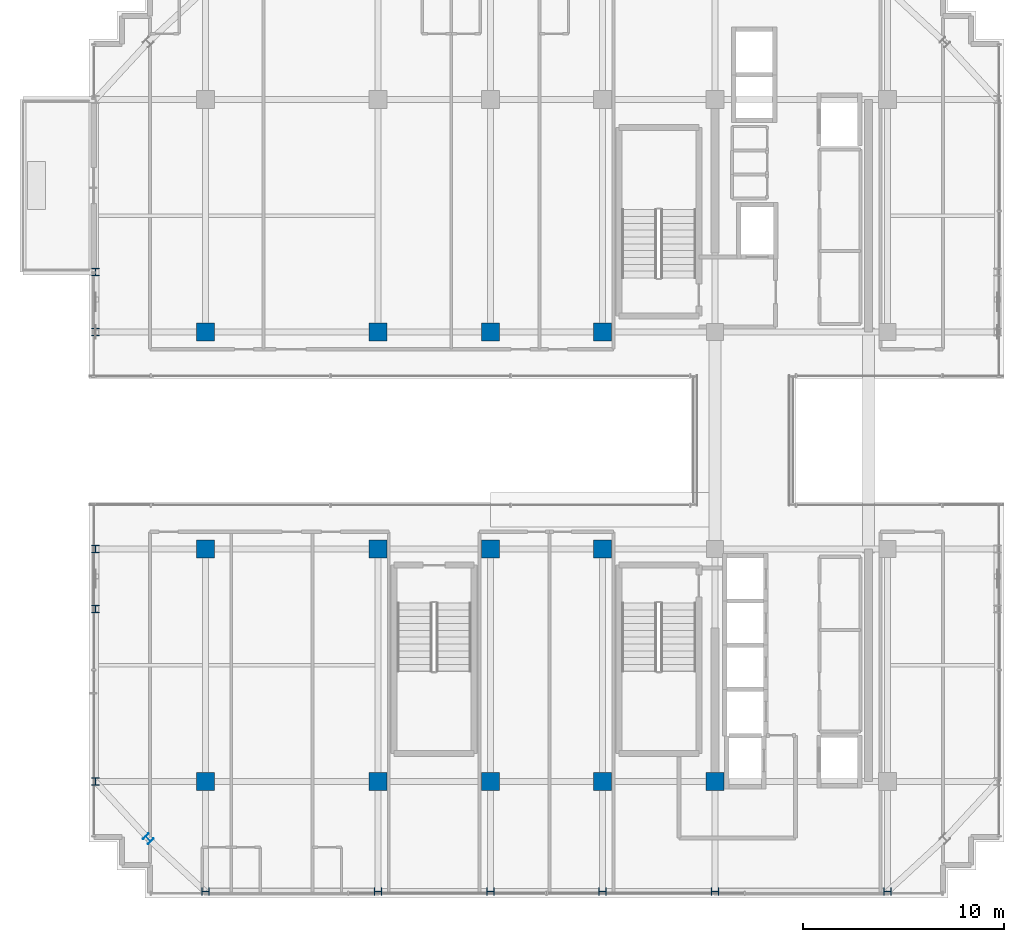
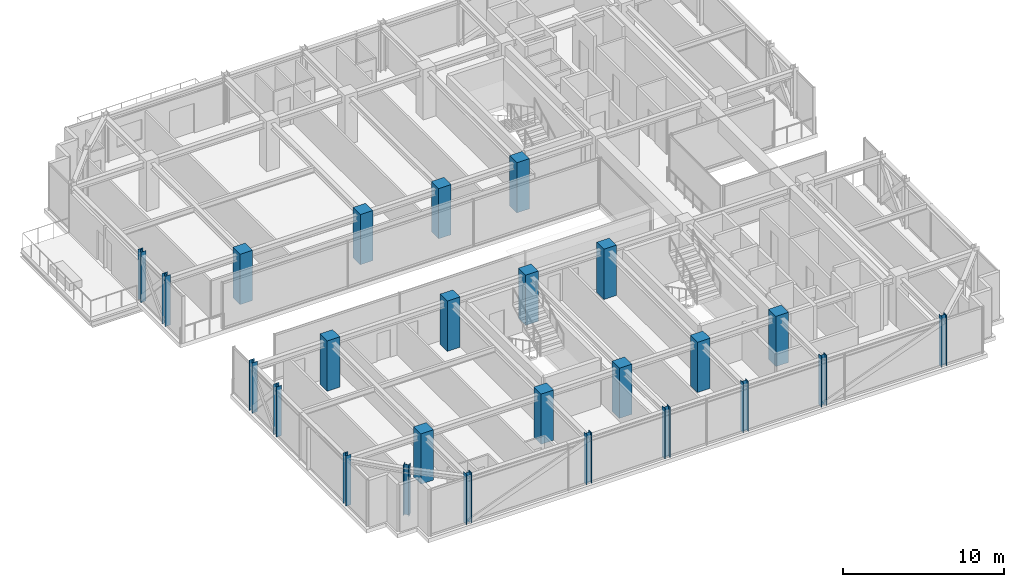
# One storey, part 1 of 41: 25 columns.
"""IFC4 building model written with IfcOpenShell, lengths in metres."""

from ifc_helpers import new_model, si_unit, direction, frame, origin, origin_2d, place, context, subcontext, project, spatial, rectangle, i_section, extrude, source, transform, mapped, material, material_profile, profile_set, type_object, element, save


model = new_model("IFC4")

# Units and contexts
model_context = context("Model", 3, precision=1e-05, world=origin(), true_north=direction((0.0, 1.0)))
body_context = subcontext(model_context, "Body", "Model", "MODEL_VIEW")
ifc_project = project(units=[si_unit("LENGTHUNIT", "METRE"), si_unit("AREAUNIT", "SQUARE_METRE"), si_unit("VOLUMEUNIT", "CUBIC_METRE"), si_unit("PLANEANGLEUNIT", "RADIAN"), si_unit("MASSUNIT", "GRAM", prefix="KILO")], contexts=[model_context])

# Site, building, storey
site_placement = place(None, origin())
site = spatial("IfcSite", under=ifc_project, at=site_placement, CompositionType="ELEMENT")
building_placement = place(site_placement, origin())
building = spatial("IfcBuilding", under=site, at=building_placement, Name="Nahalor Promenade Grand Hotel", CompositionType="ELEMENT")
storey_placement = place(building_placement, frame((0.0, 0.0, 304.199951171875)))
storey = spatial("IfcBuildingStorey", under=building, at=storey_placement, Name="L78", CompositionType="ELEMENT", Elevation=304.199951171875)

# Columns
ifc_material_1 = material(Name="Concrete B-50 (C40/50)", Category="concrete")
ifc_material_profile_1 = material_profile(ifc_material_1, rectangle(XDim=0.9, YDim=0.9, at=origin_2d()), Name="RC 900x900")
ifc_profile_set_1 = profile_set([ifc_material_profile_1], Name="Concrete B-50 (C40/50)")
column_type_1 = type_object("IfcColumnType", Name="Col-RC-900", PredefinedType="COLUMN", material=ifc_profile_set_1)
shared_shape_1 = source(origin(), body_context, "Body", "SweptSolid", [
    extrude(rectangle(XDim=0.9, YDim=0.9, at=origin_2d()), origin(), (0.0, 0.0, 1.0), 3.804931640625),
])
for number, where, z_axis, x_axis, name in (
    (1, (-17.0, -17.0, 0.0), (0.0, 0.0, 1.0), (1.0, 0.0, 0.0), "COL-L78-I00"),
    (2, (-17.0, -5.39990234375, 0.0), (0.0, 0.0, 1.0), (1.0, 0.0, 0.0), "COL-L78-I01"),
    (3, (-17.0, 5.39990234375, 0.0), (0.0, 0.0, 1.0), (1.0, 0.0, 0.0), "COL-L78-I02"),
    (4, (-8.39990234375, -17.0, 0.0), (0.0, 0.0, 1.0), (1.0, 0.0, 0.0), "COL-L78-I10"),
    (5, (-8.39990234375, -5.39990234375, 0.0), (0.0, 0.0, 1.0), (1.0, 0.0, 0.0), "COL-L78-I11"),
    (6, (-8.39990234375, 5.39990234375, 0.0), (0.0, 0.0, 1.0), (1.0, 0.0, 0.0), "COL-L78-I12"),
    (7, (-2.800048828125, -17.0, 0.0), (0.0, 0.0, 1.0), (1.0, 0.0, 0.0), "COL-L78-I20"),
    (8, (-2.800048828125, -5.39990234375, 0.0), (0.0, 0.0, 1.0), (1.0, 0.0, 0.0), "COL-L78-I21"),
    (9, (-2.800048828125, 5.39990234375, 0.0), (0.0, 0.0, 1.0), (1.0, 0.0, 0.0), "COL-L78-I22"),
    (10, (2.800048828125, -17.0, 0.0), (0.0, 0.0, 1.0), (1.0, 0.0, 0.0), "COL-L78-I30"),
    (11, (2.800048828125, -5.39990234375, 0.0), (0.0, 0.0, 1.0), (1.0, 0.0, 0.0), "COL-L78-I31"),
    (12, (2.800048828125, 5.39990234375, 0.0), (0.0, 0.0, 1.0), (1.0, 0.0, 0.0), "COL-L78-I32"),
    (13, (8.39990234375, -17.0, 0.0), (0.0, 0.0, 1.0), (1.0, 0.0, 0.0), "COL-L78-I40"),
):
    element("IfcColumn", number, at=place(storey_placement, frame(where, z_axis=z_axis, x_axis=x_axis)), inside=storey, type_object=column_type_1, Name=name, PredefinedType="COLUMN", context=body_context, shape_type="MappedRepresentation", body=[
        mapped(shared_shape_1, transform((0.0, 0.0, 0.0), scale=1.0)),
    ])
ifc_material_2 = material(Name="Steel S355JR", Category="steel")
ifc_material_profile_2 = material_profile(ifc_material_2, i_section(OverallWidth=0.374, OverallDepth=0.374, WebThickness=0.0144, FlangeThickness=0.0229, at=origin_2d()), Name="HD 360x262")
ifc_profile_set_2 = profile_set([ifc_material_profile_2], Name="Steel S355JR")
column_type_2 = type_object("IfcColumnType", Name="Col-Steel-HD262", PredefinedType="COLUMN", material=ifc_profile_set_2)
shared_shape_2 = source(origin(), body_context, "Body", "SweptSolid", [
    extrude(i_section(OverallWidth=0.374, OverallDepth=0.374, WebThickness=0.0144, FlangeThickness=0.0229, at=origin_2d()), origin(), (0.0, 0.0, 1.0), 3.804931640625),
])
for number, where, z_axis, x_axis, name in (
    (14, (-22.47998046875, -17.0, 0.0), (0.0, 0.0, 1.0), (1.0, 0.0, 0.0), "COL-L78-PW-W0"),
    (15, (-22.47998046875, -8.39990234375, 0.0), (0.0, 0.0, 1.0), (1.0, 0.0, 0.0), "COL-L78-PW-W1"),
    (16, (-22.47998046875, -5.39990234375, 0.0), (0.0, 0.0, 1.0), (1.0, 0.0, 0.0), "COL-L78-PW-W2"),
    (17, (-22.47998046875, 5.39990234375, 0.0), (0.0, 0.0, 1.0), (1.0, 0.0, 0.0), "COL-L78-PW-W3"),
    (18, (-22.47998046875, 8.39990234375, 0.0), (0.0, 0.0, 1.0), (1.0, 0.0, 0.0), "COL-L78-PW-W4"),
    (19, (-17.0, -22.47998046875, 0.0), (0.0, 0.0, 1.0), (0.0, 1.0, 0.0), "COL-L78-PN-S0"),
    (20, (-8.39990234375, -22.47998046875, 0.0), (0.0, 0.0, 1.0), (0.0, 1.0, 0.0), "COL-L78-PN-S1"),
    (21, (-2.800048828125, -22.47998046875, 0.0), (0.0, 0.0, 1.0), (0.0, 1.0, 0.0), "COL-L78-PN-S2"),
    (22, (2.800048828125, -22.47998046875, 0.0), (0.0, 0.0, 1.0), (0.0, 1.0, 0.0), "COL-L78-PN-S3"),
    (23, (8.39990234375, -22.47998046875, 0.0), (0.0, 0.0, 1.0), (0.0, 1.0, 0.0), "COL-L78-PN-S4"),
    (24, (17.0, -22.47998046875, 0.0), (0.0, 0.0, 1.0), (0.0, 1.0, 0.0), "COL-L78-PN-S5"),
    (25, (-19.85009765625, -19.85009765625, 0.0), (0.0, 0.0, 1.0), (0.707106781187, 0.707106781187, 0.0), "COL-L78-CRN-SW"),
):
    element("IfcColumn", number, at=place(storey_placement, frame(where, z_axis=z_axis, x_axis=x_axis)), inside=storey, type_object=column_type_2, Name=name, PredefinedType="COLUMN", context=body_context, shape_type="MappedRepresentation", body=[
        mapped(shared_shape_2, transform((0.0, 0.0, 0.0), scale=1.0)),
    ])

save(model, "model.ifc")
